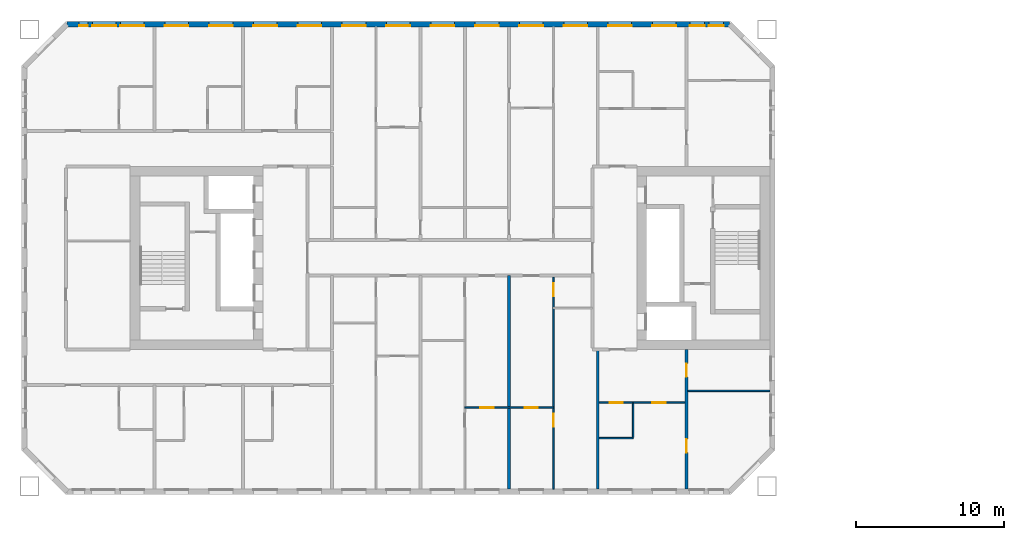
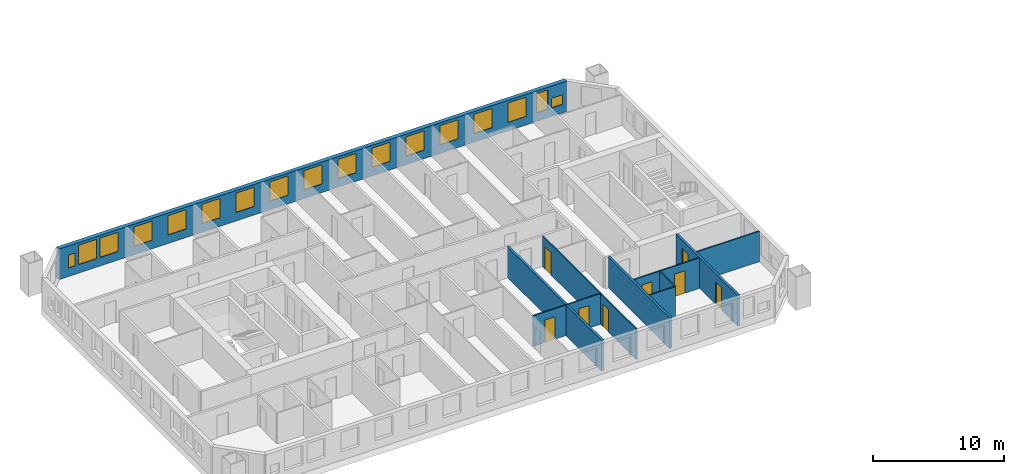
# One storey, part 6 of 16: 17 windows, 10 walls, 8 doors, 25 openings.
"""IFC4 building model written with IfcOpenShell, lengths in metres."""

from ifc_helpers import new_model, si_unit, direction, frame, frame_2d, origin, place, context, subcontext, project, spatial, rectangle, extrude, material, layer, layer_set, type_object, element, fill, save


model = new_model("IFC4")

# Units and contexts
model_context = context("Model", 3, precision=1e-05, world=origin(), true_north=direction((0.0, 1.0)))
body_context = subcontext(model_context, "Body", "Model", "MODEL_VIEW")
ifc_project = project(units=[si_unit("LENGTHUNIT", "METRE"), si_unit("AREAUNIT", "SQUARE_METRE"), si_unit("VOLUMEUNIT", "CUBIC_METRE"), si_unit("PLANEANGLEUNIT", "RADIAN"), si_unit("MASSUNIT", "GRAM", prefix="KILO")], contexts=[model_context])

# Site, building, storey
site_placement = place(None, origin())
site = spatial("IfcSite", under=ifc_project, at=site_placement, CompositionType="ELEMENT")
building_placement = place(site_placement, origin())
building = spatial("IfcBuilding", under=site, at=building_placement, Name="Tuart Gate Housing", CompositionType="ELEMENT")
storey_placement = place(building_placement, frame((0.0, 0.0, 96.39990234375)))
storey = spatial("IfcBuildingStorey", under=building, at=storey_placement, Name="L26", CompositionType="ELEMENT", Elevation=96.39990234375)

# Wall, openings, windows
ifc_material_1 = material(Name="Brick", Category="masonry")
ifc_layer_1 = layer(ifc_material_1, 0.360107421875)
ifc_layer_set_1 = layer_set([ifc_layer_1], Name="Brick pier and spandrel wall 360")
wall_type_1 = type_object("IfcWallType", Name="Brick pier and spandrel wall 360", PredefinedType="STANDARD", material=ifc_layer_set_1)
wall_1_placement = place(storey_placement, frame((72.92529296875, 85.820068359375, 0.0), z_axis=(0.0, 0.0, 1.0), x_axis=(-1.0, 0.0, 0.0)))
wall_1 = element("IfcWall", 1, at=wall_1_placement, inside=storey, type_object=wall_type_1, Name="External wall A-N L26", PredefinedType="STANDARD", context=body_context, shape_type="SweptSolid", body=[
    extrude(rectangle(XDim=44.850830078125, YDim=0.360107421875, at=frame_2d((22.42529296875, 0.0))), origin(), (0.0, 0.0, 1.0), 2.85009765625),
])
opening_1_placement = place(wall_1_placement, frame((0.39990234375, 0.0, 0.800048828125)))
opening_1 = element("IfcOpeningElement", 2, at=opening_1_placement, cuts=wall_1, Name="Opening W1U", PredefinedType="OPENING", context=body_context, shape_type="SweptSolid", body=[
    extrude(rectangle(XDim=1.0, YDim=0.89990234375, at=frame_2d((0.5, 0.449951171875))), frame((0.0, 0.18994140625, 0.0), z_axis=(0.0, -1.0, 0.0), x_axis=(1.0, 0.0, 0.0)), (0.0, 0.0, 1.0), 0.380126953125),
])
opening_2_placement = place(wall_1_placement, frame((3.62548828125, 0.0, 0.800048828125)))
opening_2 = element("IfcOpeningElement", 3, at=opening_2_placement, cuts=wall_1, Name="Opening W1", PredefinedType="OPENING", context=body_context, shape_type="SweptSolid", body=[
    extrude(rectangle(XDim=1.60009765625, YDim=1.800048828125, at=frame_2d((0.800048828125, 0.89990234375))), frame((0.0, 0.18994140625, 0.0), z_axis=(0.0, -1.0, 0.0), x_axis=(1.0, 0.0, 0.0)), (0.0, 0.0, 1.0), 0.380126953125),
])
opening_3_placement = place(wall_1_placement, frame((6.62548828125, 0.0, 0.800048828125)))
opening_3 = element("IfcOpeningElement", 4, at=opening_3_placement, cuts=wall_1, Name="Opening W1", PredefinedType="OPENING", context=body_context, shape_type="SweptSolid", body=[
    extrude(rectangle(XDim=1.60009765625, YDim=1.800048828125, at=frame_2d((0.800048828125, 0.89990234375))), frame((0.0, 0.18994140625, 0.0), z_axis=(0.0, -1.0, 0.0), x_axis=(1.0, 0.0, 0.0)), (0.0, 0.0, 1.0), 0.380126953125),
])
opening_4_placement = place(wall_1_placement, frame((9.62548828125, 0.0, 0.800048828125)))
opening_4 = element("IfcOpeningElement", 5, at=opening_4_placement, cuts=wall_1, Name="Opening W1", PredefinedType="OPENING", context=body_context, shape_type="SweptSolid", body=[
    extrude(rectangle(XDim=1.60009765625, YDim=1.800048828125, at=frame_2d((0.800048828125, 0.89990234375))), frame((0.0, 0.18994140625, 0.0), z_axis=(0.0, -1.0, 0.0), x_axis=(1.0, 0.0, 0.0)), (0.0, 0.0, 1.0), 0.380126953125),
])
opening_5_placement = place(wall_1_placement, frame((12.62548828125, 0.0, 0.800048828125)))
opening_5 = element("IfcOpeningElement", 6, at=opening_5_placement, cuts=wall_1, Name="Opening W1", PredefinedType="OPENING", context=body_context, shape_type="SweptSolid", body=[
    extrude(rectangle(XDim=1.60009765625, YDim=1.800048828125, at=frame_2d((0.800048828125, 0.89990234375))), frame((0.0, 0.18994140625, 0.0), z_axis=(0.0, -1.0, 0.0), x_axis=(1.0, 0.0, 0.0)), (0.0, 0.0, 1.0), 0.380126953125),
])
opening_6_placement = place(wall_1_placement, frame((15.62548828125, 0.0, 0.800048828125)))
opening_6 = element("IfcOpeningElement", 7, at=opening_6_placement, cuts=wall_1, Name="Opening W1", PredefinedType="OPENING", context=body_context, shape_type="SweptSolid", body=[
    extrude(rectangle(XDim=1.60009765625, YDim=1.800048828125, at=frame_2d((0.800048828125, 0.89990234375))), frame((0.0, 0.18994140625, 0.0), z_axis=(0.0, -1.0, 0.0), x_axis=(1.0, 0.0, 0.0)), (0.0, 0.0, 1.0), 0.380126953125),
])
opening_7_placement = place(wall_1_placement, frame((18.62548828125, 0.0, 0.800048828125)))
opening_7 = element("IfcOpeningElement", 8, at=opening_7_placement, cuts=wall_1, Name="Opening W1", PredefinedType="OPENING", context=body_context, shape_type="SweptSolid", body=[
    extrude(rectangle(XDim=1.60009765625, YDim=1.800048828125, at=frame_2d((0.800048828125, 0.89990234375))), frame((0.0, 0.18994140625, 0.0), z_axis=(0.0, -1.0, 0.0), x_axis=(1.0, 0.0, 0.0)), (0.0, 0.0, 1.0), 0.380126953125),
])
opening_8_placement = place(wall_1_placement, frame((21.62548828125, 0.0, 0.800048828125)))
opening_8 = element("IfcOpeningElement", 9, at=opening_8_placement, cuts=wall_1, Name="Opening W1", PredefinedType="OPENING", context=body_context, shape_type="SweptSolid", body=[
    extrude(rectangle(XDim=1.60009765625, YDim=1.800048828125, at=frame_2d((0.800048828125, 0.89990234375))), frame((0.0, 0.18994140625, 0.0), z_axis=(0.0, -1.0, 0.0), x_axis=(1.0, 0.0, 0.0)), (0.0, 0.0, 1.0), 0.380126953125),
])
opening_9_placement = place(wall_1_placement, frame((24.62548828125, 0.0, 0.800048828125)))
opening_9 = element("IfcOpeningElement", 10, at=opening_9_placement, cuts=wall_1, Name="Opening W1", PredefinedType="OPENING", context=body_context, shape_type="SweptSolid", body=[
    extrude(rectangle(XDim=1.60009765625, YDim=1.800048828125, at=frame_2d((0.800048828125, 0.89990234375))), frame((0.0, 0.18994140625, 0.0), z_axis=(0.0, -1.0, 0.0), x_axis=(1.0, 0.0, 0.0)), (0.0, 0.0, 1.0), 0.380126953125),
])
opening_10_placement = place(wall_1_placement, frame((27.62548828125, 0.0, 0.800048828125)))
opening_10 = element("IfcOpeningElement", 11, at=opening_10_placement, cuts=wall_1, Name="Opening W1", PredefinedType="OPENING", context=body_context, shape_type="SweptSolid", body=[
    extrude(rectangle(XDim=1.60009765625, YDim=1.800048828125, at=frame_2d((0.800048828125, 0.89990234375))), frame((0.0, 0.18994140625, 0.0), z_axis=(0.0, -1.0, 0.0), x_axis=(1.0, 0.0, 0.0)), (0.0, 0.0, 1.0), 0.380126953125),
])
opening_11_placement = place(wall_1_placement, frame((30.62548828125, 0.0, 0.800048828125)))
opening_11 = element("IfcOpeningElement", 12, at=opening_11_placement, cuts=wall_1, Name="Opening W1", PredefinedType="OPENING", context=body_context, shape_type="SweptSolid", body=[
    extrude(rectangle(XDim=1.60009765625, YDim=1.800048828125, at=frame_2d((0.800048828125, 0.89990234375))), frame((0.0, 0.18994140625, 0.0), z_axis=(0.0, -1.0, 0.0), x_axis=(1.0, 0.0, 0.0)), (0.0, 0.0, 1.0), 0.380126953125),
])
opening_12_placement = place(wall_1_placement, frame((33.62548828125, 0.0, 0.800048828125)))
opening_12 = element("IfcOpeningElement", 13, at=opening_12_placement, cuts=wall_1, Name="Opening W1", PredefinedType="OPENING", context=body_context, shape_type="SweptSolid", body=[
    extrude(rectangle(XDim=1.60009765625, YDim=1.800048828125, at=frame_2d((0.800048828125, 0.89990234375))), frame((0.0, 0.18994140625, 0.0), z_axis=(0.0, -1.0, 0.0), x_axis=(1.0, 0.0, 0.0)), (0.0, 0.0, 1.0), 0.380126953125),
])
opening_13_placement = place(wall_1_placement, frame((36.62548828125, 0.0, 0.800048828125)))
opening_13 = element("IfcOpeningElement", 14, at=opening_13_placement, cuts=wall_1, Name="Opening W1", PredefinedType="OPENING", context=body_context, shape_type="SweptSolid", body=[
    extrude(rectangle(XDim=1.60009765625, YDim=1.800048828125, at=frame_2d((0.800048828125, 0.89990234375))), frame((0.0, 0.18994140625, 0.0), z_axis=(0.0, -1.0, 0.0), x_axis=(1.0, 0.0, 0.0)), (0.0, 0.0, 1.0), 0.380126953125),
])
opening_14_placement = place(wall_1_placement, frame((39.62548828125, 0.0, 0.800048828125)))
opening_14 = element("IfcOpeningElement", 15, at=opening_14_placement, cuts=wall_1, Name="Opening W1", PredefinedType="OPENING", context=body_context, shape_type="SweptSolid", body=[
    extrude(rectangle(XDim=1.60009765625, YDim=1.800048828125, at=frame_2d((0.800048828125, 0.89990234375))), frame((0.0, 0.18994140625, 0.0), z_axis=(0.0, -1.0, 0.0), x_axis=(1.0, 0.0, 0.0)), (0.0, 0.0, 1.0), 0.380126953125),
])
opening_15_placement = place(wall_1_placement, frame((41.525390625, 0.0, 0.800048828125)))
opening_15 = element("IfcOpeningElement", 16, at=opening_15_placement, cuts=wall_1, Name="Opening W1", PredefinedType="OPENING", context=body_context, shape_type="SweptSolid", body=[
    extrude(rectangle(XDim=1.60009765625, YDim=1.800048828125, at=frame_2d((0.800048828125, 0.89990234375))), frame((0.0, 0.18994140625, 0.0), z_axis=(0.0, -1.0, 0.0), x_axis=(1.0, 0.0, 0.0)), (0.0, 0.0, 1.0), 0.380126953125),
])
opening_16_placement = place(wall_1_placement, frame((1.699951171875, 0.0, 0.800048828125)))
opening_16 = element("IfcOpeningElement", 17, at=opening_16_placement, cuts=wall_1, Name="Opening W1C", PredefinedType="OPENING", context=body_context, shape_type="SweptSolid", body=[
    extrude(rectangle(XDim=1.0, YDim=1.800048828125, at=frame_2d((0.5, 0.89990234375))), frame((0.0, 0.18994140625, 0.0), z_axis=(0.0, -1.0, 0.0), x_axis=(1.0, 0.0, 0.0)), (0.0, 0.0, 1.0), 0.380126953125),
])
opening_17_placement = place(wall_1_placement, frame((43.42529296875, 0.0, 0.800048828125)))
opening_17 = element("IfcOpeningElement", 18, at=opening_17_placement, cuts=wall_1, Name="Opening W1Q", PredefinedType="OPENING", context=body_context, shape_type="SweptSolid", body=[
    extrude(rectangle(XDim=0.60009765625, YDim=1.199951171875, at=frame_2d((0.300048828125, 0.60009765625))), frame((0.0, 0.18994140625, 0.0), z_axis=(0.0, -1.0, 0.0), x_axis=(1.0, 0.0, 0.0)), (0.0, 0.0, 1.0), 0.380126953125),
])
ifc_material_2 = material(Name="Aluminium frame with clear glass", Category="aluminium")
window_type_1 = type_object("IfcWindowType", Name="Punched window 1000 x 1800", PartitioningType="SINGLE_PANEL", PredefinedType="WINDOW", material=ifc_material_2)
window_1_placement = place(opening_16_placement, origin())
window_1 = element("IfcWindow", 19, at=window_1_placement, inside=storey, type_object=window_type_1, Name="Window W1C", OverallHeight=1.800048828125, OverallWidth=1.0, PartitioningType="SINGLE_PANEL", PredefinedType="WINDOW", context=body_context, shape_type="SweptSolid", body=[
    extrude(rectangle(XDim=1.0, YDim=1.800048828125, at=frame_2d((0.5, 0.89990234375))), frame((0.0, 0.150146484375, 0.0), z_axis=(0.0, -1.0, 0.0), x_axis=(1.0, 0.0, 0.0)), (0.0, 0.0, 1.0), 0.06005859375),
])
fill(opening_16, window_1)
ifc_material_3 = material(Name="Aluminium frame with clear glass", Category="aluminium")
window_type_2 = type_object("IfcWindowType", Name="Punched window 1000 x 900", PartitioningType="SINGLE_PANEL", PredefinedType="WINDOW", material=ifc_material_3)
window_2_placement = place(opening_1_placement, origin())
window_2 = element("IfcWindow", 20, at=window_2_placement, inside=storey, type_object=window_type_2, Name="Window W1U", OverallHeight=0.89990234375, OverallWidth=1.0, PartitioningType="SINGLE_PANEL", PredefinedType="WINDOW", context=body_context, shape_type="SweptSolid", body=[
    extrude(rectangle(XDim=1.0, YDim=0.89990234375, at=frame_2d((0.5, 0.449951171875))), frame((0.0, 0.150146484375, 0.0), z_axis=(0.0, -1.0, 0.0), x_axis=(1.0, 0.0, 0.0)), (0.0, 0.0, 1.0), 0.06005859375),
])
fill(opening_1, window_2)
ifc_material_4 = material(Name="Aluminium frame with clear glass", Category="aluminium")
window_type_3 = type_object("IfcWindowType", Name="Punched window 1600 x 1800", PartitioningType="SINGLE_PANEL", PredefinedType="WINDOW", material=ifc_material_4)
window_3_placement = place(opening_2_placement, origin())
window_3 = element("IfcWindow", 21, at=window_3_placement, inside=storey, type_object=window_type_3, Name="Window W1", OverallHeight=1.800048828125, OverallWidth=1.60009765625, PartitioningType="SINGLE_PANEL", PredefinedType="WINDOW", context=body_context, shape_type="SweptSolid", body=[
    extrude(rectangle(XDim=1.60009765625, YDim=1.800048828125, at=frame_2d((0.800048828125, 0.89990234375))), frame((0.0, 0.150146484375, 0.0), z_axis=(0.0, -1.0, 0.0), x_axis=(1.0, 0.0, 0.0)), (0.0, 0.0, 1.0), 0.06005859375),
])
fill(opening_2, window_3)
window_4_placement = place(opening_3_placement, origin())
window_4 = element("IfcWindow", 22, at=window_4_placement, inside=storey, type_object=window_type_3, Name="Window W1", OverallHeight=1.800048828125, OverallWidth=1.60009765625, PartitioningType="SINGLE_PANEL", PredefinedType="WINDOW", context=body_context, shape_type="SweptSolid", body=[
    extrude(rectangle(XDim=1.60009765625, YDim=1.800048828125, at=frame_2d((0.800048828125, 0.89990234375))), frame((0.0, 0.150146484375, 0.0), z_axis=(0.0, -1.0, 0.0), x_axis=(1.0, 0.0, 0.0)), (0.0, 0.0, 1.0), 0.06005859375),
])
fill(opening_3, window_4)
window_5_placement = place(opening_4_placement, origin())
window_5 = element("IfcWindow", 23, at=window_5_placement, inside=storey, type_object=window_type_3, Name="Window W1", OverallHeight=1.800048828125, OverallWidth=1.60009765625, PartitioningType="SINGLE_PANEL", PredefinedType="WINDOW", context=body_context, shape_type="SweptSolid", body=[
    extrude(rectangle(XDim=1.60009765625, YDim=1.800048828125, at=frame_2d((0.800048828125, 0.89990234375))), frame((0.0, 0.150146484375, 0.0), z_axis=(0.0, -1.0, 0.0), x_axis=(1.0, 0.0, 0.0)), (0.0, 0.0, 1.0), 0.06005859375),
])
fill(opening_4, window_5)
window_6_placement = place(opening_5_placement, origin())
window_6 = element("IfcWindow", 24, at=window_6_placement, inside=storey, type_object=window_type_3, Name="Window W1", OverallHeight=1.800048828125, OverallWidth=1.60009765625, PartitioningType="SINGLE_PANEL", PredefinedType="WINDOW", context=body_context, shape_type="SweptSolid", body=[
    extrude(rectangle(XDim=1.60009765625, YDim=1.800048828125, at=frame_2d((0.800048828125, 0.89990234375))), frame((0.0, 0.150146484375, 0.0), z_axis=(0.0, -1.0, 0.0), x_axis=(1.0, 0.0, 0.0)), (0.0, 0.0, 1.0), 0.06005859375),
])
fill(opening_5, window_6)
window_7_placement = place(opening_6_placement, origin())
window_7 = element("IfcWindow", 25, at=window_7_placement, inside=storey, type_object=window_type_3, Name="Window W1", OverallHeight=1.800048828125, OverallWidth=1.60009765625, PartitioningType="SINGLE_PANEL", PredefinedType="WINDOW", context=body_context, shape_type="SweptSolid", body=[
    extrude(rectangle(XDim=1.60009765625, YDim=1.800048828125, at=frame_2d((0.800048828125, 0.89990234375))), frame((0.0, 0.150146484375, 0.0), z_axis=(0.0, -1.0, 0.0), x_axis=(1.0, 0.0, 0.0)), (0.0, 0.0, 1.0), 0.06005859375),
])
fill(opening_6, window_7)
window_8_placement = place(opening_7_placement, origin())
window_8 = element("IfcWindow", 26, at=window_8_placement, inside=storey, type_object=window_type_3, Name="Window W1", OverallHeight=1.800048828125, OverallWidth=1.60009765625, PartitioningType="SINGLE_PANEL", PredefinedType="WINDOW", context=body_context, shape_type="SweptSolid", body=[
    extrude(rectangle(XDim=1.60009765625, YDim=1.800048828125, at=frame_2d((0.800048828125, 0.89990234375))), frame((0.0, 0.150146484375, 0.0), z_axis=(0.0, -1.0, 0.0), x_axis=(1.0, 0.0, 0.0)), (0.0, 0.0, 1.0), 0.06005859375),
])
fill(opening_7, window_8)
window_9_placement = place(opening_8_placement, origin())
window_9 = element("IfcWindow", 27, at=window_9_placement, inside=storey, type_object=window_type_3, Name="Window W1", OverallHeight=1.800048828125, OverallWidth=1.60009765625, PartitioningType="SINGLE_PANEL", PredefinedType="WINDOW", context=body_context, shape_type="SweptSolid", body=[
    extrude(rectangle(XDim=1.60009765625, YDim=1.800048828125, at=frame_2d((0.800048828125, 0.89990234375))), frame((0.0, 0.150146484375, 0.0), z_axis=(0.0, -1.0, 0.0), x_axis=(1.0, 0.0, 0.0)), (0.0, 0.0, 1.0), 0.06005859375),
])
fill(opening_8, window_9)
window_10_placement = place(opening_9_placement, origin())
window_10 = element("IfcWindow", 28, at=window_10_placement, inside=storey, type_object=window_type_3, Name="Window W1", OverallHeight=1.800048828125, OverallWidth=1.60009765625, PartitioningType="SINGLE_PANEL", PredefinedType="WINDOW", context=body_context, shape_type="SweptSolid", body=[
    extrude(rectangle(XDim=1.60009765625, YDim=1.800048828125, at=frame_2d((0.800048828125, 0.89990234375))), frame((0.0, 0.150146484375, 0.0), z_axis=(0.0, -1.0, 0.0), x_axis=(1.0, 0.0, 0.0)), (0.0, 0.0, 1.0), 0.06005859375),
])
fill(opening_9, window_10)
window_11_placement = place(opening_10_placement, origin())
window_11 = element("IfcWindow", 29, at=window_11_placement, inside=storey, type_object=window_type_3, Name="Window W1", OverallHeight=1.800048828125, OverallWidth=1.60009765625, PartitioningType="SINGLE_PANEL", PredefinedType="WINDOW", context=body_context, shape_type="SweptSolid", body=[
    extrude(rectangle(XDim=1.60009765625, YDim=1.800048828125, at=frame_2d((0.800048828125, 0.89990234375))), frame((0.0, 0.150146484375, 0.0), z_axis=(0.0, -1.0, 0.0), x_axis=(1.0, 0.0, 0.0)), (0.0, 0.0, 1.0), 0.06005859375),
])
fill(opening_10, window_11)
window_12_placement = place(opening_11_placement, origin())
window_12 = element("IfcWindow", 30, at=window_12_placement, inside=storey, type_object=window_type_3, Name="Window W1", OverallHeight=1.800048828125, OverallWidth=1.60009765625, PartitioningType="SINGLE_PANEL", PredefinedType="WINDOW", context=body_context, shape_type="SweptSolid", body=[
    extrude(rectangle(XDim=1.60009765625, YDim=1.800048828125, at=frame_2d((0.800048828125, 0.89990234375))), frame((0.0, 0.150146484375, 0.0), z_axis=(0.0, -1.0, 0.0), x_axis=(1.0, 0.0, 0.0)), (0.0, 0.0, 1.0), 0.06005859375),
])
fill(opening_11, window_12)
window_13_placement = place(opening_12_placement, origin())
window_13 = element("IfcWindow", 31, at=window_13_placement, inside=storey, type_object=window_type_3, Name="Window W1", OverallHeight=1.800048828125, OverallWidth=1.60009765625, PartitioningType="SINGLE_PANEL", PredefinedType="WINDOW", context=body_context, shape_type="SweptSolid", body=[
    extrude(rectangle(XDim=1.60009765625, YDim=1.800048828125, at=frame_2d((0.800048828125, 0.89990234375))), frame((0.0, 0.150146484375, 0.0), z_axis=(0.0, -1.0, 0.0), x_axis=(1.0, 0.0, 0.0)), (0.0, 0.0, 1.0), 0.06005859375),
])
fill(opening_12, window_13)
window_14_placement = place(opening_13_placement, origin())
window_14 = element("IfcWindow", 32, at=window_14_placement, inside=storey, type_object=window_type_3, Name="Window W1", OverallHeight=1.800048828125, OverallWidth=1.60009765625, PartitioningType="SINGLE_PANEL", PredefinedType="WINDOW", context=body_context, shape_type="SweptSolid", body=[
    extrude(rectangle(XDim=1.60009765625, YDim=1.800048828125, at=frame_2d((0.800048828125, 0.89990234375))), frame((0.0, 0.150146484375, 0.0), z_axis=(0.0, -1.0, 0.0), x_axis=(1.0, 0.0, 0.0)), (0.0, 0.0, 1.0), 0.06005859375),
])
fill(opening_13, window_14)
window_15_placement = place(opening_14_placement, origin())
window_15 = element("IfcWindow", 33, at=window_15_placement, inside=storey, type_object=window_type_3, Name="Window W1", OverallHeight=1.800048828125, OverallWidth=1.60009765625, PartitioningType="SINGLE_PANEL", PredefinedType="WINDOW", context=body_context, shape_type="SweptSolid", body=[
    extrude(rectangle(XDim=1.60009765625, YDim=1.800048828125, at=frame_2d((0.800048828125, 0.89990234375))), frame((0.0, 0.150146484375, 0.0), z_axis=(0.0, -1.0, 0.0), x_axis=(1.0, 0.0, 0.0)), (0.0, 0.0, 1.0), 0.06005859375),
])
fill(opening_14, window_15)
window_16_placement = place(opening_15_placement, origin())
window_16 = element("IfcWindow", 34, at=window_16_placement, inside=storey, type_object=window_type_3, Name="Window W1", OverallHeight=1.800048828125, OverallWidth=1.60009765625, PartitioningType="SINGLE_PANEL", PredefinedType="WINDOW", context=body_context, shape_type="SweptSolid", body=[
    extrude(rectangle(XDim=1.60009765625, YDim=1.800048828125, at=frame_2d((0.800048828125, 0.89990234375))), frame((0.0, 0.150146484375, 0.0), z_axis=(0.0, -1.0, 0.0), x_axis=(1.0, 0.0, 0.0)), (0.0, 0.0, 1.0), 0.06005859375),
])
fill(opening_15, window_16)
ifc_material_5 = material(Name="Aluminium frame with clear glass", Category="aluminium")
window_type_4 = type_object("IfcWindowType", Name="Punched window 600 x 1200", PartitioningType="SINGLE_PANEL", PredefinedType="WINDOW", material=ifc_material_5)
window_17_placement = place(opening_17_placement, origin())
window_17 = element("IfcWindow", 35, at=window_17_placement, inside=storey, type_object=window_type_4, Name="Window W1Q", OverallHeight=1.199951171875, OverallWidth=0.60009765625, PartitioningType="SINGLE_PANEL", PredefinedType="WINDOW", context=body_context, shape_type="SweptSolid", body=[
    extrude(rectangle(XDim=0.60009765625, YDim=1.199951171875, at=frame_2d((0.300048828125, 0.60009765625))), frame((0.0, 0.150146484375, 0.0), z_axis=(0.0, -1.0, 0.0), x_axis=(1.0, 0.0, 0.0)), (0.0, 0.0, 1.0), 0.06005859375),
])
fill(opening_17, window_17)

# Wall
ifc_material_6 = material(Name="Gypsum board on steel studs", Category="steel")
ifc_layer_2 = layer(ifc_material_6, 0.10009765625)
ifc_layer_set_2 = layer_set([ifc_layer_2], Name="Partition 100")
wall_type_2 = type_object("IfcWallType", Name="Partition 100", PredefinedType="PARTITIONING", material=ifc_layer_set_2)
wall_2_placement = place(storey_placement, frame((64.10009765625, 57.800048828125, 0.0), z_axis=(0.0, 0.0, 1.0), x_axis=(1.0, 0.0, 0.0)))
element("IfcWall", 36, at=wall_2_placement, inside=storey, type_object=wall_type_2, Name="Partition 100", PredefinedType="PARTITIONING", context=body_context, shape_type="SweptSolid", body=[
    extrude(rectangle(XDim=2.2998046875, YDim=0.10009765625, at=frame_2d((1.14990234375, 0.0))), origin(), (0.0, 0.0, 1.0), 2.85009765625),
])

# Wall, openings, doors
wall_3_placement = place(storey_placement, frame((55.0, 59.860107421875, 0.0), z_axis=(0.0, 0.0, 1.0), x_axis=(1.0, 0.0, 0.0)))
wall_3 = element("IfcWall", 37, at=wall_3_placement, inside=storey, type_object=wall_type_2, Name="Partition 100", PredefinedType="PARTITIONING", context=body_context, shape_type="SweptSolid", body=[
    extrude(rectangle(XDim=6.0, YDim=0.10009765625, at=frame_2d((3.0, 0.0))), origin(), (0.0, 0.0, 1.0), 2.85009765625),
])
opening_18_placement = place(wall_3_placement, frame((4.050048828125, 0.0, 0.0)))
opening_18 = element("IfcOpeningElement", 38, at=opening_18_placement, cuts=wall_3, Name="Opening D1119", PredefinedType="OPENING", context=body_context, shape_type="SweptSolid", body=[
    extrude(rectangle(XDim=0.89990234375, YDim=2.10009765625, at=frame_2d((0.449951171875, 1.050048828125))), frame((0.0, 0.06005859375, 0.0), z_axis=(0.0, -1.0, 0.0), x_axis=(1.0, 0.0, 0.0)), (0.0, 0.0, 1.0), 0.1201171875),
])
opening_19_placement = place(wall_3_placement, frame((1.050048828125, 0.0, 0.0)))
opening_19 = element("IfcOpeningElement", 39, at=opening_19_placement, cuts=wall_3, Name="Opening D1120", PredefinedType="OPENING", context=body_context, shape_type="SweptSolid", body=[
    extrude(rectangle(XDim=0.89990234375, YDim=2.10009765625, at=frame_2d((0.449951171875, 1.050048828125))), frame((0.0, 0.06005859375, 0.0), z_axis=(0.0, -1.0, 0.0), x_axis=(1.0, 0.0, 0.0)), (0.0, 0.0, 1.0), 0.1201171875),
])
ifc_material_7 = material(Name="Timber door leaf in steel frame", Category="steel")
door_type_1 = type_object("IfcDoorType", Name="Internal door 900", OperationType="SINGLE_SWING_LEFT", PredefinedType="DOOR", material=ifc_material_7)
door_1_placement = place(opening_18_placement, origin())
door_1 = element("IfcDoor", 40, at=door_1_placement, inside=storey, type_object=door_type_1, Name="Internal door", OperationType="SINGLE_SWING_LEFT", OverallHeight=2.10009765625, OverallWidth=0.89990234375, PredefinedType="DOOR", context=body_context, shape_type="SweptSolid", body=[
    extrude(rectangle(XDim=0.89990234375, YDim=2.10009765625, at=frame_2d((0.449951171875, 1.050048828125))), frame((0.0, 0.02490234375, 0.0), z_axis=(0.0, -1.0, 0.0), x_axis=(1.0, 0.0, 0.0)), (0.0, 0.0, 1.0), 0.050048828125),
])
fill(opening_18, door_1)
door_2_placement = place(opening_19_placement, origin())
door_2 = element("IfcDoor", 41, at=door_2_placement, inside=storey, type_object=door_type_1, Name="Internal door", OperationType="SINGLE_SWING_LEFT", OverallHeight=2.10009765625, OverallWidth=0.89990234375, PredefinedType="DOOR", context=body_context, shape_type="SweptSolid", body=[
    extrude(rectangle(XDim=0.89990234375, YDim=2.10009765625, at=frame_2d((0.449951171875, 1.050048828125))), frame((0.0, 0.02490234375, 0.0), z_axis=(0.0, -1.0, 0.0), x_axis=(1.0, 0.0, 0.0)), (0.0, 0.0, 1.0), 0.050048828125),
])
fill(opening_19, door_2)

wall_4_placement = place(storey_placement, frame((64.10009765625, 60.199951171875, 0.0), z_axis=(0.0, 0.0, 1.0), x_axis=(1.0, 0.0, 0.0)))
wall_4 = element("IfcWall", 42, at=wall_4_placement, inside=storey, type_object=wall_type_2, Name="Partition 100", PredefinedType="PARTITIONING", context=body_context, shape_type="SweptSolid", body=[
    extrude(rectangle(XDim=5.7998046875, YDim=0.10009765625, at=frame_2d((2.89990234375, 0.0))), origin(), (0.0, 0.0, 1.0), 2.85009765625),
])
opening_20_placement = place(wall_4_placement, frame((3.60009765625, 0.0, 0.0)))
opening_20 = element("IfcOpeningElement", 43, at=opening_20_placement, cuts=wall_4, Name="Opening D1117", PredefinedType="OPENING", context=body_context, shape_type="SweptSolid", body=[
    extrude(rectangle(XDim=0.89990234375, YDim=2.10009765625, at=frame_2d((0.449951171875, 1.050048828125))), frame((0.0, 0.06005859375, 0.0), z_axis=(0.0, -1.0, 0.0), x_axis=(1.0, 0.0, 0.0)), (0.0, 0.0, 1.0), 0.1201171875),
])
opening_21_placement = place(wall_4_placement, frame((0.699951171875, 0.0, 0.0)))
opening_21 = element("IfcOpeningElement", 44, at=opening_21_placement, cuts=wall_4, Name="Opening D1116", PredefinedType="OPENING", context=body_context, shape_type="SweptSolid", body=[
    extrude(rectangle(XDim=0.89990234375, YDim=2.10009765625, at=frame_2d((0.449951171875, 1.050048828125))), frame((0.0, 0.06005859375, 0.0), z_axis=(0.0, -1.0, 0.0), x_axis=(1.0, 0.0, 0.0)), (0.0, 0.0, 1.0), 0.1201171875),
])
ifc_material_8 = material(Name="Timber door leaf in steel frame", Category="steel")
door_type_2 = type_object("IfcDoorType", Name="Bathroom door 900", OperationType="SINGLE_SWING_LEFT", PredefinedType="DOOR", material=ifc_material_8)
door_3_placement = place(opening_21_placement, frame((0.89990234375, 0.0, 0.0), z_axis=(0.0, 0.0, 1.0), x_axis=(-1.0, 0.0, 0.0)))
door_3 = element("IfcDoor", 45, at=door_3_placement, inside=storey, type_object=door_type_2, Name="Bathroom door", OperationType="SINGLE_SWING_LEFT", OverallHeight=2.10009765625, OverallWidth=0.89990234375, PredefinedType="DOOR", context=body_context, shape_type="SweptSolid", body=[
    extrude(rectangle(XDim=0.89990234375, YDim=2.10009765625, at=frame_2d((0.449951171875, 1.050048828125))), frame((0.0, 0.025146484375, 0.0), z_axis=(0.0, -1.0, 0.0), x_axis=(1.0, 0.0, 0.0)), (0.0, 0.0, 1.0), 0.050048828125),
])
fill(opening_21, door_3)
ifc_material_9 = material(Name="Timber door leaf in steel frame", Category="steel")
door_type_3 = type_object("IfcDoorType", Name="Internal door 900 RH", OperationType="SINGLE_SWING_RIGHT", PredefinedType="DOOR", material=ifc_material_9)
door_4_placement = place(opening_20_placement, origin())
door_4 = element("IfcDoor", 46, at=door_4_placement, inside=storey, type_object=door_type_3, Name="Internal door", OperationType="SINGLE_SWING_RIGHT", OverallHeight=2.10009765625, OverallWidth=0.89990234375, PredefinedType="DOOR", context=body_context, shape_type="SweptSolid", body=[
    extrude(rectangle(XDim=0.89990234375, YDim=2.10009765625, at=frame_2d((0.449951171875, 1.050048828125))), frame((0.0, 0.02490234375, 0.0), z_axis=(0.0, -1.0, 0.0), x_axis=(1.0, 0.0, 0.0)), (0.0, 0.0, 1.0), 0.050048828125),
])
fill(opening_20, door_4)

# Wall
wall_5_placement = place(storey_placement, frame((70.10009765625, 61.0, 0.0), z_axis=(0.0, 0.0, 1.0), x_axis=(1.0, 0.0, 0.0)))
element("IfcWall", 47, at=wall_5_placement, inside=storey, type_object=wall_type_2, Name="Partition 100", PredefinedType="PARTITIONING", context=body_context, shape_type="SweptSolid", body=[
    extrude(rectangle(XDim=5.539794921875, YDim=0.10009765625, at=frame_2d((2.77001953125, 0.0))), origin(), (0.0, 0.0, 1.0), 2.85009765625),
])

# Wall, openings, doors
wall_6_placement = place(storey_placement, frame((61.0, 54.360107421875, 0.0), z_axis=(0.0, 0.0, 1.0), x_axis=(0.0, 1.0, 0.0)))
wall_6 = element("IfcWall", 48, at=wall_6_placement, inside=storey, type_object=wall_type_2, Name="Partition 100", PredefinedType="PARTITIONING", context=body_context, shape_type="SweptSolid", body=[
    extrude(rectangle(XDim=14.33984375, YDim=0.10009765625, at=frame_2d((7.169921875, 0.0))), origin(), (0.0, 0.0, 1.0), 2.85009765625),
])
opening_22_placement = place(wall_6_placement, frame((4.199951171875, 0.0, 0.0)))
opening_22 = element("IfcOpeningElement", 49, at=opening_22_placement, cuts=wall_6, Name="Opening D1112", PredefinedType="OPENING", context=body_context, shape_type="SweptSolid", body=[
    extrude(rectangle(XDim=0.89990234375, YDim=2.10009765625, at=frame_2d((0.449951171875, 1.050048828125))), frame((0.0, 0.06005859375, 0.0), z_axis=(0.0, -1.0, 0.0), x_axis=(1.0, 0.0, 0.0)), (0.0, 0.0, 1.0), 0.1201171875),
])
opening_23_placement = place(wall_6_placement, frame((13.0400390625, 0.0, 0.0)))
opening_23 = element("IfcOpeningElement", 50, at=opening_23_placement, cuts=wall_6, Name="Opening D1111", PredefinedType="OPENING", context=body_context, shape_type="SweptSolid", body=[
    extrude(rectangle(XDim=0.89990234375, YDim=2.10009765625, at=frame_2d((0.449951171875, 1.050048828125))), frame((0.0, 0.06005859375, 0.0), z_axis=(0.0, -1.0, 0.0), x_axis=(1.0, 0.0, 0.0)), (0.0, 0.0, 1.0), 0.1201171875),
])
door_5_placement = place(opening_23_placement, frame((0.89990234375, 0.0, 0.0), z_axis=(0.0, 0.0, 1.0), x_axis=(-1.0, 0.0, 0.0)))
door_5 = element("IfcDoor", 51, at=door_5_placement, inside=storey, type_object=door_type_2, Name="Bathroom door", OperationType="SINGLE_SWING_LEFT", OverallHeight=2.10009765625, OverallWidth=0.89990234375, PredefinedType="DOOR", context=body_context, shape_type="SweptSolid", body=[
    extrude(rectangle(XDim=0.89990234375, YDim=2.10009765625, at=frame_2d((0.449951171875, 1.050048828125))), frame((0.0, 0.025146484375, 0.0), z_axis=(0.0, -1.0, 0.0), x_axis=(1.0, 0.0, 0.0)), (0.0, 0.0, 1.0), 0.050048828125),
])
fill(opening_23, door_5)
door_6_placement = place(opening_22_placement, frame((0.89990234375, 0.0, 0.0), z_axis=(0.0, 0.0, 1.0), x_axis=(-1.0, 0.0, 0.0)))
door_6 = element("IfcDoor", 52, at=door_6_placement, inside=storey, type_object=door_type_3, Name="Internal door", OperationType="SINGLE_SWING_RIGHT", OverallHeight=2.10009765625, OverallWidth=0.89990234375, PredefinedType="DOOR", context=body_context, shape_type="SweptSolid", body=[
    extrude(rectangle(XDim=0.89990234375, YDim=2.10009765625, at=frame_2d((0.449951171875, 1.050048828125))), frame((0.0, 0.025146484375, 0.0), z_axis=(0.0, -1.0, 0.0), x_axis=(1.0, 0.0, 0.0)), (0.0, 0.0, 1.0), 0.050048828125),
])
fill(opening_22, door_6)

# Walls
wall_7_placement = place(storey_placement, frame((66.39990234375, 57.85009765625, 0.0), z_axis=(0.0, 0.0, 1.0), x_axis=(0.0, 1.0, 0.0)))
element("IfcWall", 53, at=wall_7_placement, inside=storey, type_object=wall_type_2, Name="Partition 100", PredefinedType="PARTITIONING", context=body_context, shape_type="SweptSolid", body=[
    extrude(rectangle(XDim=2.2998046875, YDim=0.10009765625, at=frame_2d((1.14990234375, 0.0))), origin(), (0.0, 0.0, 1.0), 2.85009765625),
])
ifc_material_10 = material(Name="Concrete C40", Category="concrete")
ifc_layer_3 = layer(ifc_material_10, 0.199951171875)
ifc_layer_set_3 = layer_set([ifc_layer_3], Name="Party wall concrete C40 200")
wall_type_3 = type_object("IfcWallType", Name="Party wall concrete C40 200", PredefinedType="SOLIDWALL", material=ifc_layer_set_3)
wall_8_placement = place(storey_placement, frame((58.0, 54.360107421875, 0.0), z_axis=(0.0, 0.0, 1.0), x_axis=(0.0, 1.0, 0.0)))
element("IfcWall", 54, at=wall_8_placement, inside=storey, type_object=wall_type_3, Name="Party wall concrete C40 200", PredefinedType="SOLIDWALL", context=body_context, shape_type="SweptSolid", body=[
    extrude(rectangle(XDim=14.43994140625, YDim=0.199951171875, at=frame_2d((7.219970703125, 0.0))), origin(), (0.0, 0.0, 1.0), 2.85009765625),
])
wall_9_placement = place(storey_placement, frame((64.0, 54.360107421875, 0.0), z_axis=(0.0, 0.0, 1.0), x_axis=(0.0, 1.0, 0.0)))
element("IfcWall", 55, at=wall_9_placement, inside=storey, type_object=wall_type_3, Name="Party wall concrete C40 200", PredefinedType="SOLIDWALL", context=body_context, shape_type="SweptSolid", body=[
    extrude(rectangle(XDim=9.43994140625, YDim=0.199951171875, at=frame_2d((4.719970703125, 0.0))), origin(), (0.0, 0.0, 1.0), 2.85009765625),
])

# Wall, openings, doors
wall_10_placement = place(storey_placement, frame((70.0, 54.360107421875, 0.0), z_axis=(0.0, 0.0, 1.0), x_axis=(0.0, 1.0, 0.0)))
wall_10 = element("IfcWall", 56, at=wall_10_placement, inside=storey, type_object=wall_type_3, Name="Party wall concrete C40 200", PredefinedType="SOLIDWALL", context=body_context, shape_type="SweptSolid", body=[
    extrude(rectangle(XDim=9.43994140625, YDim=0.199951171875, at=frame_2d((4.719970703125, 0.0))), origin(), (0.0, 0.0, 1.0), 2.85009765625),
])
opening_24_placement = place(wall_10_placement, frame((2.469970703125, 0.0, 0.0)))
opening_24 = element("IfcOpeningElement", 57, at=opening_24_placement, cuts=wall_10, Name="Opening D1123", PredefinedType="OPENING", context=body_context, shape_type="SweptSolid", body=[
    extrude(rectangle(XDim=0.89990234375, YDim=2.10009765625, at=frame_2d((0.449951171875, 1.050048828125))), frame((0.0, 0.10986328125, 0.0), z_axis=(0.0, -1.0, 0.0), x_axis=(1.0, 0.0, 0.0)), (0.0, 0.0, 1.0), 0.219970703125),
])
opening_25_placement = place(wall_10_placement, frame((7.590087890625, 0.0, 0.0)))
opening_25 = element("IfcOpeningElement", 58, at=opening_25_placement, cuts=wall_10, Name="Opening D1124", PredefinedType="OPENING", context=body_context, shape_type="SweptSolid", body=[
    extrude(rectangle(XDim=0.89990234375, YDim=2.10009765625, at=frame_2d((0.449951171875, 1.050048828125))), frame((0.0, 0.10986328125, 0.0), z_axis=(0.0, -1.0, 0.0), x_axis=(1.0, 0.0, 0.0)), (0.0, 0.0, 1.0), 0.219970703125),
])
door_7_placement = place(opening_24_placement, frame((0.89990234375, 0.0, 0.0), z_axis=(0.0, 0.0, 1.0), x_axis=(-1.0, 0.0, 0.0)))
door_7 = element("IfcDoor", 59, at=door_7_placement, inside=storey, type_object=door_type_3, Name="Internal door", OperationType="SINGLE_SWING_RIGHT", OverallHeight=2.10009765625, OverallWidth=0.89990234375, PredefinedType="DOOR", context=body_context, shape_type="SweptSolid", body=[
    extrude(rectangle(XDim=0.89990234375, YDim=2.10009765625, at=frame_2d((0.449951171875, 1.050048828125))), frame((0.0, 0.025146484375, 0.0), z_axis=(0.0, -1.0, 0.0), x_axis=(1.0, 0.0, 0.0)), (0.0, 0.0, 1.0), 0.050048828125),
])
fill(opening_24, door_7)
door_8_placement = place(opening_25_placement, frame((0.89990234375, 0.0, 0.0), z_axis=(0.0, 0.0, 1.0), x_axis=(-1.0, 0.0, 0.0)))
door_8 = element("IfcDoor", 60, at=door_8_placement, inside=storey, type_object=door_type_3, Name="Internal door", OperationType="SINGLE_SWING_RIGHT", OverallHeight=2.10009765625, OverallWidth=0.89990234375, PredefinedType="DOOR", context=body_context, shape_type="SweptSolid", body=[
    extrude(rectangle(XDim=0.89990234375, YDim=2.10009765625, at=frame_2d((0.449951171875, 1.050048828125))), frame((0.0, 0.025146484375, 0.0), z_axis=(0.0, -1.0, 0.0), x_axis=(1.0, 0.0, 0.0)), (0.0, 0.0, 1.0), 0.050048828125),
])
fill(opening_25, door_8)

save(model, "model.ifc")
